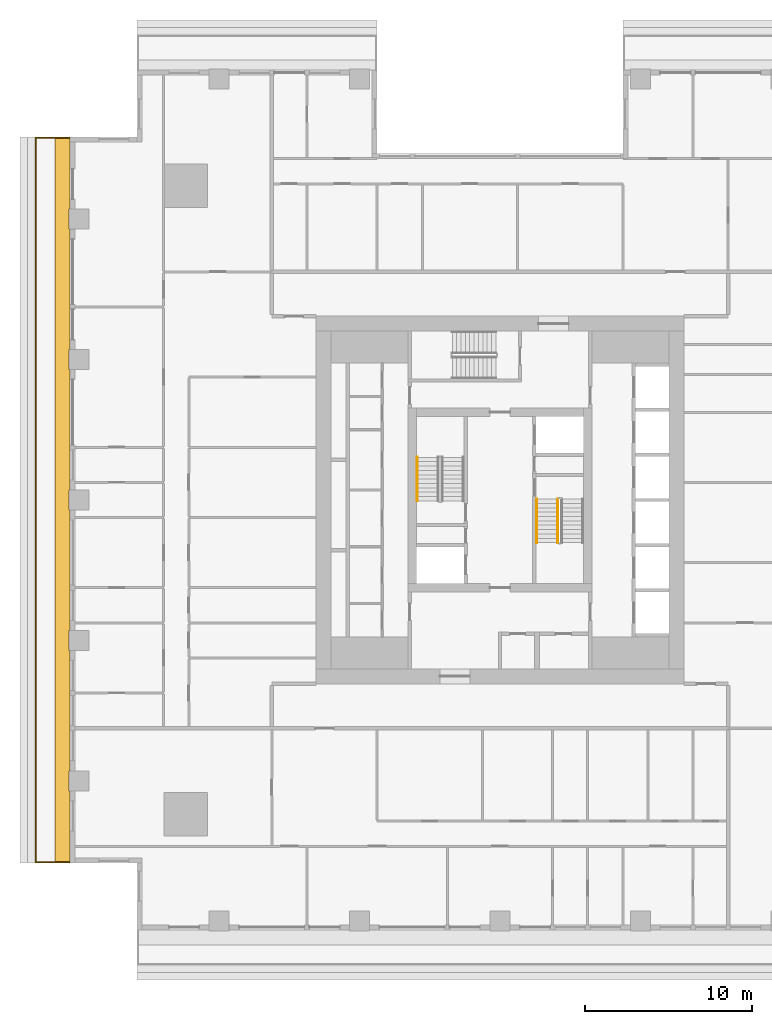
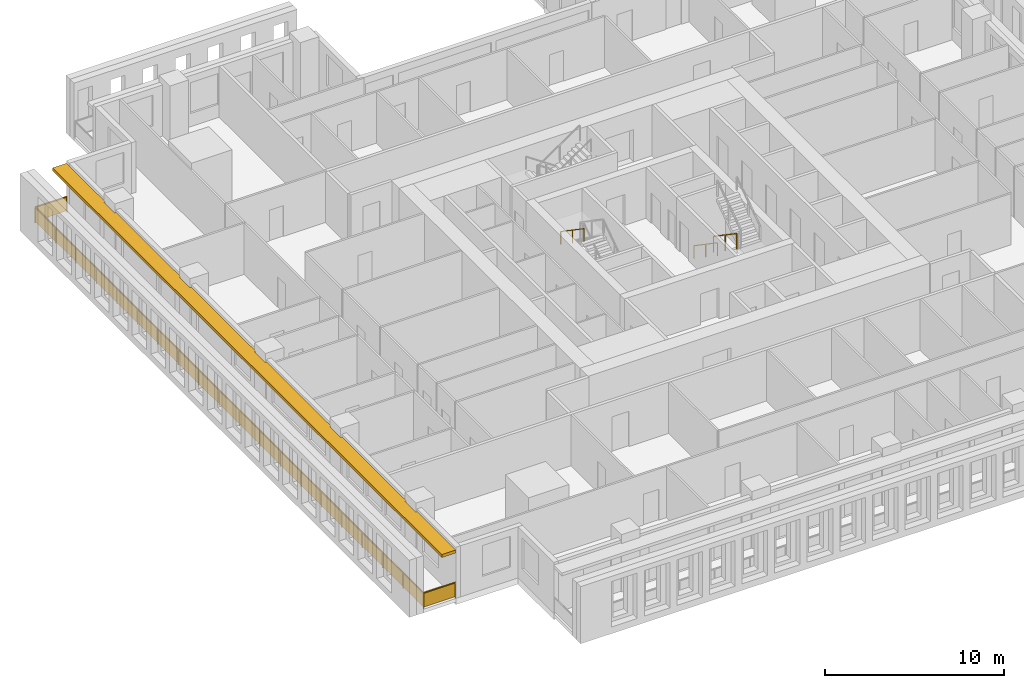
# One storey, part 12 of 16: 4 railings, 1 shading device.
"""IFC4 building model written with IfcOpenShell, lengths in metres."""

from ifc_helpers import new_model, si_unit, direction, frame, origin, origin_2d, place, context, subcontext, project, spatial, polyline, rectangle, outline, extrude, material, layer, layer_set, type_object, element, save


model = new_model("IFC4")

# Units and contexts
model_context = context("Model", 3, precision=1e-05, world=origin(), true_north=direction((0.0, 1.0)))
body_context = subcontext(model_context, "Body", "Model", "MODEL_VIEW")
ifc_project = project(units=[si_unit("LENGTHUNIT", "METRE"), si_unit("AREAUNIT", "SQUARE_METRE"), si_unit("VOLUMEUNIT", "CUBIC_METRE"), si_unit("PLANEANGLEUNIT", "RADIAN"), si_unit("MASSUNIT", "GRAM", prefix="KILO")], contexts=[model_context])

# Site, building, storey
site_placement = place(None, origin())
site = spatial("IfcSite", under=ifc_project, at=site_placement, CompositionType="ELEMENT")
building_placement = place(site_placement, origin())
building = spatial("IfcBuilding", under=site, at=building_placement, Name="Khepri Terraces", CompositionType="ELEMENT")
storey_placement = place(building_placement, frame((0.0, 0.0, 153.300048828125)))
storey = spatial("IfcBuildingStorey", under=building, at=storey_placement, Name="L36", CompositionType="ELEMENT", Elevation=153.300048828125)

# Railings
ifc_material_1 = material(Name="Stainless steel grade 316", Category="steel")
railing_type_1 = type_object("IfcRailingType", Name="GRD-BAL-1100", PredefinedType="GUARDRAIL", material=ifc_material_1)
railing_1_placement = place(storey_placement, frame((-25.719970703125, 21.669921875, 0.0)))
element("IfcRailing", 1, at=railing_1_placement, inside=storey, type_object=railing_type_1, Name="Balcony guard L36 W", PredefinedType="GUARDRAIL", context=body_context, shape_type="SweptSolid", body=[
    extrude(rectangle(XDim=0.050048828125, YDim=0.06005859375, at=origin_2d()), frame((0.0, 0.0, 1.070068359375), z_axis=(-1.0, 0.0, 0.0), x_axis=(0.0, -1.0, 0.0)), (0.0, 0.0, 1.0), 2.050048828125),
    extrude(rectangle(XDim=2.0, YDim=0.011962890625, at=origin_2d()), frame((-1.02490234375, 0.0, 0.10009765625), z_axis=(0.0, 0.0, 1.0), x_axis=(-1.0, 0.0, 0.0)), (0.0, 0.0, 1.0), 0.93994140625),
    extrude(rectangle(XDim=0.050048828125, YDim=0.06005859375, at=origin_2d()), frame((-2.050048828125, 0.0, 1.070068359375), z_axis=(0.0, -1.0, 0.0), x_axis=(1.0, 0.0, 0.0)), (0.0, 0.0, 1.0), 43.33984375),
    extrude(rectangle(XDim=2.23095703125, YDim=0.011962890625, at=origin_2d()), frame((-2.050048828125, -1.140625, 0.10009765625), z_axis=(0.0, 0.0, 1.0), x_axis=(0.0, -1.0, 0.0)), (0.0, 0.0, 1.0), 0.93994140625),
    extrude(rectangle(XDim=2.23095703125, YDim=0.011962890625, at=origin_2d()), frame((-2.050048828125, -3.421630859375, 0.10009765625), z_axis=(0.0, 0.0, 1.0), x_axis=(0.0, -1.0, 0.0)), (0.0, 0.0, 1.0), 0.93994140625),
    extrude(rectangle(XDim=2.23095703125, YDim=0.011962890625, at=origin_2d()), frame((-2.050048828125, -5.70263671875, 0.10009765625), z_axis=(0.0, 0.0, 1.0), x_axis=(0.0, -1.0, 0.0)), (0.0, 0.0, 1.0), 0.93994140625),
    extrude(rectangle(XDim=2.23095703125, YDim=0.011962890625, at=origin_2d()), frame((-2.050048828125, -7.983642578125, 0.10009765625), z_axis=(0.0, 0.0, 1.0), x_axis=(0.0, -1.0, 0.0)), (0.0, 0.0, 1.0), 0.93994140625),
    extrude(rectangle(XDim=2.23095703125, YDim=0.011962890625, at=origin_2d()), frame((-2.050048828125, -10.2646484375, 0.10009765625), z_axis=(0.0, 0.0, 1.0), x_axis=(0.0, -1.0, 0.0)), (0.0, 0.0, 1.0), 0.93994140625),
    extrude(rectangle(XDim=2.23095703125, YDim=0.011962890625, at=origin_2d()), frame((-2.050048828125, -12.545654296875, 0.10009765625), z_axis=(0.0, 0.0, 1.0), x_axis=(0.0, -1.0, 0.0)), (0.0, 0.0, 1.0), 0.93994140625),
    extrude(rectangle(XDim=2.23095703125, YDim=0.011962890625, at=origin_2d()), frame((-2.050048828125, -14.826904296875, 0.10009765625), z_axis=(0.0, 0.0, 1.0), x_axis=(0.0, -1.0, 0.0)), (0.0, 0.0, 1.0), 0.93994140625),
    extrude(rectangle(XDim=2.23095703125, YDim=0.011962890625, at=origin_2d()), frame((-2.050048828125, -17.10791015625, 0.10009765625), z_axis=(0.0, 0.0, 1.0), x_axis=(0.0, -1.0, 0.0)), (0.0, 0.0, 1.0), 0.93994140625),
    extrude(rectangle(XDim=2.23095703125, YDim=0.011962890625, at=origin_2d()), frame((-2.050048828125, -19.388916015625, 0.10009765625), z_axis=(0.0, 0.0, 1.0), x_axis=(0.0, -1.0, 0.0)), (0.0, 0.0, 1.0), 0.93994140625),
    extrude(rectangle(XDim=2.23095703125, YDim=0.011962890625, at=origin_2d()), frame((-2.050048828125, -21.669921875, 0.10009765625), z_axis=(0.0, 0.0, 1.0), x_axis=(0.0, -1.0, 0.0)), (0.0, 0.0, 1.0), 0.93994140625),
    extrude(rectangle(XDim=2.23095703125, YDim=0.011962890625, at=origin_2d()), frame((-2.050048828125, -23.950927734375, 0.10009765625), z_axis=(0.0, 0.0, 1.0), x_axis=(0.0, -1.0, 0.0)), (0.0, 0.0, 1.0), 0.93994140625),
    extrude(rectangle(XDim=2.23095703125, YDim=0.011962890625, at=origin_2d()), frame((-2.050048828125, -26.23193359375, 0.10009765625), z_axis=(0.0, 0.0, 1.0), x_axis=(0.0, -1.0, 0.0)), (0.0, 0.0, 1.0), 0.93994140625),
    extrude(rectangle(XDim=2.23095703125, YDim=0.011962890625, at=origin_2d()), frame((-2.050048828125, -28.512939453125, 0.10009765625), z_axis=(0.0, 0.0, 1.0), x_axis=(0.0, -1.0, 0.0)), (0.0, 0.0, 1.0), 0.93994140625),
    extrude(rectangle(XDim=2.23095703125, YDim=0.011962890625, at=origin_2d()), frame((-2.050048828125, -30.794189453125, 0.10009765625), z_axis=(0.0, 0.0, 1.0), x_axis=(0.0, -1.0, 0.0)), (0.0, 0.0, 1.0), 0.93994140625),
    extrude(rectangle(XDim=2.23095703125, YDim=0.011962890625, at=origin_2d()), frame((-2.050048828125, -33.0751953125, 0.10009765625), z_axis=(0.0, 0.0, 1.0), x_axis=(0.0, -1.0, 0.0)), (0.0, 0.0, 1.0), 0.93994140625),
    extrude(rectangle(XDim=2.23095703125, YDim=0.011962890625, at=origin_2d()), frame((-2.050048828125, -35.356201171875, 0.10009765625), z_axis=(0.0, 0.0, 1.0), x_axis=(0.0, -1.0, 0.0)), (0.0, 0.0, 1.0), 0.93994140625),
    extrude(rectangle(XDim=2.23095703125, YDim=0.011962890625, at=origin_2d()), frame((-2.050048828125, -37.63720703125, 0.10009765625), z_axis=(0.0, 0.0, 1.0), x_axis=(0.0, -1.0, 0.0)), (0.0, 0.0, 1.0), 0.93994140625),
    extrude(rectangle(XDim=2.23095703125, YDim=0.011962890625, at=origin_2d()), frame((-2.050048828125, -39.918212890625, 0.10009765625), z_axis=(0.0, 0.0, 1.0), x_axis=(0.0, -1.0, 0.0)), (0.0, 0.0, 1.0), 0.93994140625),
    extrude(rectangle(XDim=2.23095703125, YDim=0.011962890625, at=origin_2d()), frame((-2.050048828125, -42.19921875, 0.10009765625), z_axis=(0.0, 0.0, 1.0), x_axis=(0.0, -1.0, 0.0)), (0.0, 0.0, 1.0), 0.93994140625),
    extrude(rectangle(XDim=0.050048828125, YDim=0.06005859375, at=origin_2d()), frame((-2.050048828125, -43.33984375, 1.070068359375), z_axis=(1.0, 0.0, 0.0), x_axis=(0.0, 1.0, 0.0)), (0.0, 0.0, 1.0), 2.050048828125),
    extrude(rectangle(XDim=2.0, YDim=0.011962890625, at=origin_2d()), frame((-1.02490234375, -43.33984375, 0.10009765625), z_axis=(0.0, 0.0, 1.0), x_axis=(1.0, 0.0, 0.0)), (0.0, 0.0, 1.0), 0.93994140625),
    extrude(rectangle(XDim=0.050048828125, YDim=0.050048828125, at=origin_2d()), origin(), (0.0, 0.0, 1.0), 1.0400390625),
    extrude(rectangle(XDim=0.050048828125, YDim=0.050048828125, at=origin_2d()), frame((-2.050048828125, 0.0, 0.0)), (0.0, 0.0, 1.0), 1.0400390625),
    extrude(rectangle(XDim=0.050048828125, YDim=0.050048828125, at=origin_2d()), frame((-2.050048828125, -2.281005859375, 0.0)), (0.0, 0.0, 1.0), 1.0400390625),
    extrude(rectangle(XDim=0.050048828125, YDim=0.050048828125, at=origin_2d()), frame((-2.050048828125, -4.56201171875, 0.0)), (0.0, 0.0, 1.0), 1.0400390625),
    extrude(rectangle(XDim=0.050048828125, YDim=0.050048828125, at=origin_2d()), frame((-2.050048828125, -6.843017578125, 0.0)), (0.0, 0.0, 1.0), 1.0400390625),
    extrude(rectangle(XDim=0.050048828125, YDim=0.050048828125, at=origin_2d()), frame((-2.050048828125, -9.124267578125, 0.0)), (0.0, 0.0, 1.0), 1.0400390625),
    extrude(rectangle(XDim=0.050048828125, YDim=0.050048828125, at=origin_2d()), frame((-2.050048828125, -11.4052734375, 0.0)), (0.0, 0.0, 1.0), 1.0400390625),
    extrude(rectangle(XDim=0.050048828125, YDim=0.050048828125, at=origin_2d()), frame((-2.050048828125, -13.686279296875, 0.0)), (0.0, 0.0, 1.0), 1.0400390625),
    extrude(rectangle(XDim=0.050048828125, YDim=0.050048828125, at=origin_2d()), frame((-2.050048828125, -15.96728515625, 0.0)), (0.0, 0.0, 1.0), 1.0400390625),
    extrude(rectangle(XDim=0.050048828125, YDim=0.050048828125, at=origin_2d()), frame((-2.050048828125, -18.248291015625, 0.0)), (0.0, 0.0, 1.0), 1.0400390625),
    extrude(rectangle(XDim=0.050048828125, YDim=0.050048828125, at=origin_2d()), frame((-2.050048828125, -20.529296875, 0.0)), (0.0, 0.0, 1.0), 1.0400390625),
    extrude(rectangle(XDim=0.050048828125, YDim=0.050048828125, at=origin_2d()), frame((-2.050048828125, -22.810546875, 0.0)), (0.0, 0.0, 1.0), 1.0400390625),
    extrude(rectangle(XDim=0.050048828125, YDim=0.050048828125, at=origin_2d()), frame((-2.050048828125, -25.091552734375, 0.0)), (0.0, 0.0, 1.0), 1.0400390625),
    extrude(rectangle(XDim=0.050048828125, YDim=0.050048828125, at=origin_2d()), frame((-2.050048828125, -27.37255859375, 0.0)), (0.0, 0.0, 1.0), 1.0400390625),
    extrude(rectangle(XDim=0.050048828125, YDim=0.050048828125, at=origin_2d()), frame((-2.050048828125, -29.653564453125, 0.0)), (0.0, 0.0, 1.0), 1.0400390625),
    extrude(rectangle(XDim=0.050048828125, YDim=0.050048828125, at=origin_2d()), frame((-2.050048828125, -31.9345703125, 0.0)), (0.0, 0.0, 1.0), 1.0400390625),
    extrude(rectangle(XDim=0.050048828125, YDim=0.050048828125, at=origin_2d()), frame((-2.050048828125, -34.215576171875, 0.0)), (0.0, 0.0, 1.0), 1.0400390625),
    extrude(rectangle(XDim=0.050048828125, YDim=0.050048828125, at=origin_2d()), frame((-2.050048828125, -36.496826171875, 0.0)), (0.0, 0.0, 1.0), 1.0400390625),
    extrude(rectangle(XDim=0.050048828125, YDim=0.050048828125, at=origin_2d()), frame((-2.050048828125, -38.77783203125, 0.0)), (0.0, 0.0, 1.0), 1.0400390625),
    extrude(rectangle(XDim=0.050048828125, YDim=0.050048828125, at=origin_2d()), frame((-2.050048828125, -41.058837890625, 0.0)), (0.0, 0.0, 1.0), 1.0400390625),
    extrude(rectangle(XDim=0.050048828125, YDim=0.050048828125, at=origin_2d()), frame((-2.050048828125, -43.33984375, 0.0)), (0.0, 0.0, 1.0), 1.0400390625),
    extrude(rectangle(XDim=0.050048828125, YDim=0.050048828125, at=origin_2d()), frame((0.0, -43.33984375, 0.0)), (0.0, 0.0, 1.0), 1.0400390625),
])
ifc_material_2 = material(Name="Stainless steel 316", Category="steel")
railing_type_2 = type_object("IfcRailingType", Name="RL-CORE-GUARD", PredefinedType="GUARDRAIL", material=ifc_material_2)
railing_2_placement = place(storey_placement, frame((3.449951171875, 0.050048828125, 0.17724609375)))
element("IfcRailing", 2, at=railing_2_placement, inside=storey, type_object=railing_type_2, Name="L36 ST-2 stair guard 1", PredefinedType="GUARDRAIL", context=body_context, shape_type="SweptSolid", body=[
    extrude(rectangle(XDim=0.050048828125, YDim=0.06005859375, at=origin_2d()), frame((0.0, 0.0, 1.070068359375), z_axis=(0.0, -0.826240473404, 0.563317565952), x_axis=(1.0, 0.0, 0.0)), (0.0, 0.0, 1.0), 3.14697265625),
    extrude(rectangle(XDim=0.050048828125, YDim=0.050048828125, at=origin_2d()), origin(), (0.0, 0.0, 1.0), 1.0400390625),
    extrude(rectangle(XDim=0.050048828125, YDim=0.050048828125, at=origin_2d()), frame((0.0, -1.300048828125, 0.88623046875)), (0.0, 0.0, 1.0), 1.0400390625),
    extrude(rectangle(XDim=0.050048828125, YDim=0.050048828125, at=origin_2d()), frame((0.0, -2.60009765625, 1.772705078125)), (0.0, 0.0, 1.0), 1.0400390625),
])
railing_type_3 = type_object("IfcRailingType", Name="RL-CORE-HANDRAIL", PredefinedType="HANDRAIL", material=ifc_material_2)
for number, where, name in (
    (3, (-4.949951171875, 2.550048828125, 2.127197265625), "L36 ST-1 stair handrail 2"),
    (4, (2.199951171875, 0.050048828125, 0.17724609375), "L36 ST-2 stair handrail 1"),
):
    element("IfcRailing", number, at=place(storey_placement, frame(where)), inside=storey, type_object=railing_type_3, Name=name, PredefinedType="HANDRAIL", context=body_context, shape_type="SweptSolid", body=[
        extrude(rectangle(XDim=0.050048828125, YDim=0.050048828125, at=origin_2d()), frame((0.0, 0.0, 0.875), z_axis=(0.0, -0.826240473404, 0.563317565952), x_axis=(1.0, 0.0, 0.0)), (0.0, 0.0, 1.0), 3.14697265625),
        extrude(rectangle(XDim=0.050048828125, YDim=0.050048828125, at=origin_2d()), origin(), (0.0, 0.0, 1.0), 0.849853515625),
        extrude(rectangle(XDim=0.050048828125, YDim=0.050048828125, at=origin_2d()), frame((0.0, -1.300048828125, 0.88623046875)), (0.0, 0.0, 1.0), 0.849853515625),
        extrude(rectangle(XDim=0.050048828125, YDim=0.050048828125, at=origin_2d()), frame((0.0, -2.60009765625, 1.772705078125)), (0.0, 0.0, 1.0), 0.849853515625),
    ])

# Shading device
ifc_material_3 = material(Name="Precast concrete C50/60 warm stone", Category="masonry")
ifc_layer = layer(ifc_material_3, 0.199951171875, Name="Precast concrete C50/60 warm stone", Category="masonry")
ifc_layer_set = layer_set([ifc_layer], Name="Precast concrete C50/60 warm stone")
shading_device_type = type_object("IfcShadingDeviceType", Name="SSH-BAND-STONE-200", PredefinedType="USERDEFINED", material=ifc_layer_set)
shading_device_placement = place(storey_placement, frame((0.0, 0.0, 3.099853515625)))
element("IfcShadingDevice", 5, at=shading_device_placement, inside=storey, type_object=shading_device_type, Name="Sunshade band L36 W", ObjectType="SUNSHADE", PredefinedType="USERDEFINED", context=body_context, shape_type="SweptSolid", body=[
    extrude(outline(polyline([(-25.719970703125, 17.39990234375), (-25.719970703125, 21.719970703125), (-26.6201171875, 21.719970703125), (-26.6201171875, -21.719970703125), (-25.719970703125, -21.719970703125), (-25.719970703125, -17.39990234375), (-25.800048828125, -17.39990234375), (-25.800048828125, -16.199951171875), (-25.719970703125, -16.199951171875), (-25.719970703125, -9.0), (-25.800048828125, -9.0), (-25.800048828125, -7.800048828125), (-25.719970703125, -7.800048828125), (-25.719970703125, -0.60009765625), (-25.800048828125, -0.60009765625), (-25.800048828125, 0.60009765625), (-25.719970703125, 0.60009765625), (-25.719970703125, 7.800048828125), (-25.800048828125, 7.800048828125), (-25.800048828125, 9.0), (-25.719970703125, 9.0), (-25.719970703125, 16.199951171875), (-25.800048828125, 16.199951171875), (-25.800048828125, 17.39990234375), (-25.719970703125, 17.39990234375)])), origin(), (0.0, 0.0, 1.0), 0.2001953125),
])

save(model, "model.ifc")
